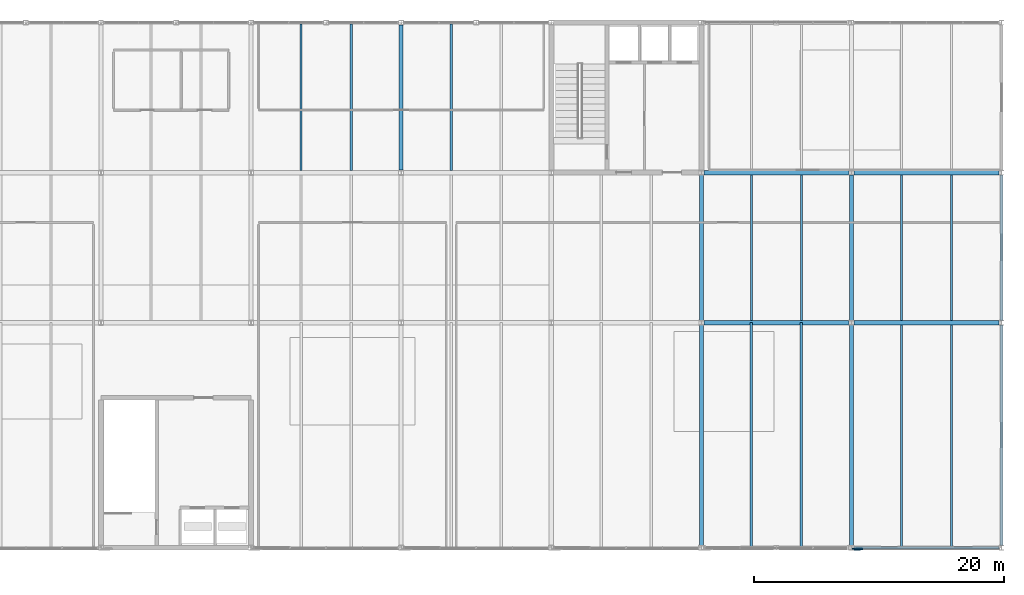
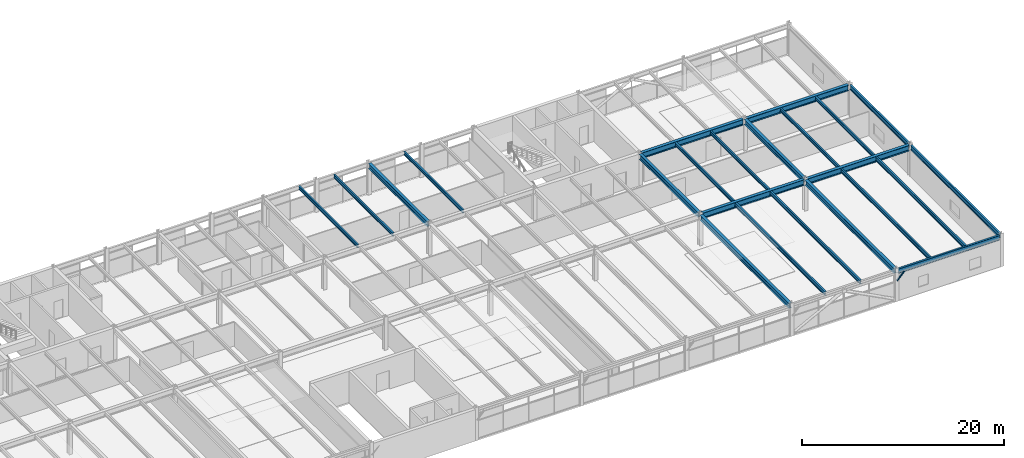
# One storey, part 34 of 52: 23 beams, 1 member.
"""IFC4 building model written with IfcOpenShell, lengths in metres."""

import ifcopenshell
import ifcopenshell.guid

model = None  # the IFC model being written
_history = None  # IfcOwnerHistory: only IFC2X3 demands one
_inside = {}  # id of a spatial element -> (the spatial element, [elements in it])
_under = {}  # id of a project, library or spatial element -> (it, [spatial elements below it])
_declared = {}  # id of a project -> (the project, [libraries it declares])
_typed = {}  # id of a type object -> (the type object, [elements of that type])
_made_of = {}  # id of a material, layer set ... -> (it, [elements and type objects made of it])


def new_model(schema):
    """Start an empty IFC model of exactly this schema.

    Asked for "IFC4X3", IfcOpenShell would pick the latest addendum, in which some entities
    have other attributes; the version numbers below select the first issue.
    IFC2X3 requires an IfcOwnerHistory on every rooted entity: one is made here for all.
    """
    global model, _history
    if schema == "IFC4X3":
        model = ifcopenshell.file(schema_version=(4, 3, 0, 0))
    else:
        model = ifcopenshell.file(schema=schema)
    _inside.clear()
    _under.clear()
    _declared.clear()
    _typed.clear()
    _made_of.clear()
    _history = None
    if model.schema == "IFC2X3":
        org = make("IfcOrganization", Name="unknown")
        user = make(
            "IfcPersonAndOrganization",
            ThePerson=make("IfcPerson", FamilyName="unknown"),
            TheOrganization=org,
        )
        app = make(
            "IfcApplication",
            ApplicationDeveloper=org,
            Version="unknown",
            ApplicationFullName="unknown",
            ApplicationIdentifier="unknown",
        )
        _history = make(
            "IfcOwnerHistory",
            OwningUser=user,
            OwningApplication=app,
            ChangeAction="ADDED",
            CreationDate=0,
        )
    return model


def make(cls, **values):
    """One entity of the class cls with the attributes given. An attribute that is None is left unset."""
    return model.create_entity(
        cls, **{name: value for name, value in values.items() if value is not None}
    )


def rooted(cls, **values):
    """An entity with a GlobalId (a new one), such as an element, a storey or a relation."""
    return make(cls, GlobalId=ifcopenshell.guid.new(), OwnerHistory=_history, **values)


def si_unit(unit_type, name, prefix=None):
    """IfcSIUnit, for example si_unit("LENGTHUNIT", "METRE", prefix="MILLI")."""
    return make("IfcSIUnit", UnitType=unit_type, Prefix=prefix, Name=name)


def assignment(units):
    """IfcUnitAssignment: the units of a project."""
    return None if units is None else make("IfcUnitAssignment", Units=units)


def point(xyz):
    """IfcCartesianPoint."""
    return None if xyz is None else make("IfcCartesianPoint", Coordinates=xyz)


def direction(xyz):
    """IfcDirection."""
    return None if xyz is None else make("IfcDirection", DirectionRatios=xyz)


def frame(location, z_axis=None, x_axis=None):
    """IfcAxis2Placement3D, a coordinate frame: its origin and axes. An axis left out is left unset."""
    return make(
        "IfcAxis2Placement3D",
        Location=point(location),
        Axis=direction(z_axis),
        RefDirection=direction(x_axis),
    )


def frame_2d(location, x_axis=None):
    """IfcAxis2Placement2D, a coordinate frame in the plane: its origin and x axis."""
    return make(
        "IfcAxis2Placement2D", Location=point(location), RefDirection=direction(x_axis)
    )


def origin():
    """The frame at (0, 0, 0) with its axes left unset."""
    return frame((0.0, 0.0, 0.0))


def origin_2d():
    """The frame at (0, 0) in the plane with its x axis left unset."""
    return frame_2d((0.0, 0.0))


def place(relative_to, where):
    """IfcLocalPlacement: puts the frame where relative to a parent placement (None: the world)."""
    return make(
        "IfcLocalPlacement", PlacementRelTo=relative_to, RelativePlacement=where
    )


def context(
    kind, dimensions, precision=None, world=None, true_north=None, identifier=None
):
    """IfcGeometricRepresentationContext, for example the 3D "Model" context."""
    return make(
        "IfcGeometricRepresentationContext",
        ContextIdentifier=identifier,
        ContextType=kind,
        CoordinateSpaceDimension=dimensions,
        Precision=precision,
        WorldCoordinateSystem=world,
        TrueNorth=true_north,
    )


def subcontext(parent, identifier, kind, view, scale=None):
    """IfcGeometricRepresentationSubContext, for example "Body" below "Model"."""
    return make(
        "IfcGeometricRepresentationSubContext",
        ContextIdentifier=identifier,
        ContextType=kind,
        ParentContext=parent,
        TargetScale=scale,
        TargetView=view,
    )


def project(units=None, contexts=None):
    """IfcProject with its units and contexts."""
    return rooted(
        "IfcProject",
        Name="project",
        RepresentationContexts=contexts,
        UnitsInContext=assignment(units),
    )


def spatial(cls, under=None, at=None, **own):
    """A site, building, storey or space (cls), placed at a placement, below another one or the project."""
    s = rooted(cls, ObjectPlacement=at, **own)
    if under is not None:
        _under.setdefault(under.id(), (under, []))[1].append(s)
    return s


def profile(cls, at=None, kind="AREA", **sizes):
    """A parametric profile (cls). Its sizes go by their IFC names, for example OverallWidth=200.0."""
    return make(cls, ProfileType=kind, Position=at, **sizes)


def hollow_circle(**sizes):
    """IfcCircleHollowProfileDef."""
    return profile("IfcCircleHollowProfileDef", **sizes)


def i_section(**sizes):
    """IfcIShapeProfileDef."""
    return profile("IfcIShapeProfileDef", **sizes)


def extrude(swept, where, along, depth):
    """IfcExtrudedAreaSolid: the profile swept, set in the frame where, extruded along a direction by depth."""
    return make(
        "IfcExtrudedAreaSolid",
        SweptArea=swept,
        Position=where,
        ExtrudedDirection=direction(along),
        Depth=depth,
    )


def shape(context_of_items, identifier, shape_type, items):
    """IfcShapeRepresentation: the items that make up one representation, for example the "Body"."""
    return make(
        "IfcShapeRepresentation",
        ContextOfItems=context_of_items,
        RepresentationIdentifier=identifier,
        RepresentationType=shape_type,
        Items=items,
    )


def material(Name=None, Category=None):
    """IfcMaterial."""
    return make("IfcMaterial", Name=Name, Category=Category)


def material_profile(
    of_material, cross_section, Name=None, Category=None, Priority=None
):
    """IfcMaterialProfile: a cross section and its material."""
    return make(
        "IfcMaterialProfile",
        Name=Name,
        Material=of_material,
        Profile=cross_section,
        Priority=Priority,
        Category=Category,
    )


def profile_set(profiles, Name=None, composite=None):
    """IfcMaterialProfileSet."""
    return make(
        "IfcMaterialProfileSet",
        Name=Name,
        MaterialProfiles=profiles,
        CompositeProfile=composite,
    )


def made_of(thing, what):
    """Note that an element or type object is made of a material, layer set ...; save() writes the relation."""
    if what is not None:
        _made_of.setdefault(what.id(), (what, []))[1].append(thing)
    return thing


def type_object(cls, material=None, **own):
    """A type object (cls), such as IfcWallType, which elements share."""
    return made_of(rooted(cls, **own), material)


def element(
    cls,
    number,
    at=None,
    inside=None,
    cuts=None,
    type_object=None,
    material=None,
    context=None,
    identifier="Body",
    shape_type=None,
    held_by="IfcProductDefinitionShape",
    body=None,
    shapes=None,
    **own,
):
    """One element of the class cls, such as IfcWall. Its Tag is "e" and its number.

    at: its placement. inside: the storey or other place that contains it. cuts: it is an
    opening in that element (IfcRelVoidsElement). A single representation is given by context,
    identifier, shape_type and body (its items); several are given by shapes. held_by: the class
    of the entity that holds the representations. save() writes the other relations.
    """
    e = rooted(cls, Tag="e%d" % number, ObjectPlacement=at, **own)
    if body is not None:
        shapes = [shape(context, identifier, shape_type, body)]
    if shapes is not None:
        e.Representation = make(held_by, Representations=shapes)
    if inside is not None:
        _inside.setdefault(inside.id(), (inside, []))[1].append(e)
    if cuts is not None:
        rooted(
            "IfcRelVoidsElement", RelatingBuildingElement=cuts, RelatedOpeningElement=e
        )
    if type_object is not None:
        _typed.setdefault(type_object.id(), (type_object, []))[1].append(e)
    return made_of(e, material)


def aggregate(whole, parts):
    """IfcRelAggregates: a whole, such as a stair, and the parts it consists of."""
    return rooted("IfcRelAggregates", RelatingObject=whole, RelatedObjects=parts)


def save(model, path):
    """Write the relations noted so far, then the file.

    IfcRelAggregates (storeys below a building ...), IfcRelContainedInSpatialStructure (elements
    in a storey), IfcRelDefinesByType, IfcRelAssociatesMaterial and IfcRelDeclares: one each for
    every whole, place, type object, material and project.
    """
    for whole, parts in _under.values():
        aggregate(whole, parts)
    for where, things in _inside.values():
        rooted(
            "IfcRelContainedInSpatialStructure",
            RelatedElements=things,
            RelatingStructure=where,
        )
    for kind, things in _typed.values():
        rooted("IfcRelDefinesByType", RelatedObjects=things, RelatingType=kind)
    for what, things in _made_of.values():
        rooted("IfcRelAssociatesMaterial", RelatedObjects=things, RelatingMaterial=what)
    for by, libraries in _declared.values():
        rooted("IfcRelDeclares", RelatingContext=by, RelatedDefinitions=libraries)
    model.write(path)


model = new_model("IFC4")

# Units and contexts
model_context = context("Model", 3, precision=1e-05, world=origin(), true_north=direction((0.0, 1.0)))
body_context = subcontext(model_context, "Body", "Model", "MODEL_VIEW")
ifc_project = project(units=[si_unit("LENGTHUNIT", "METRE"), si_unit("AREAUNIT", "SQUARE_METRE"), si_unit("VOLUMEUNIT", "CUBIC_METRE"), si_unit("PLANEANGLEUNIT", "RADIAN"), si_unit("MASSUNIT", "GRAM", prefix="KILO")], contexts=[model_context])

# Site, building, storey
site_placement = place(None, origin())
site = spatial("IfcSite", under=ifc_project, at=site_placement, CompositionType="ELEMENT")
building_placement = place(site_placement, origin())
building = spatial("IfcBuilding", under=site, at=building_placement, Name="Girod Span Mobility Hub", CompositionType="ELEMENT")
storey_placement = place(building_placement, frame((0.0, 0.0, 45.60009765625)))
storey = spatial("IfcBuildingStorey", under=building, at=storey_placement, Name="L11", CompositionType="ELEMENT", Elevation=45.60009765625)

# Beams
ifc_material_1 = material(Name="Steel A992 Grade 50", Category="steel")
ifc_material_profile_1 = material_profile(ifc_material_1, i_section(OverallWidth=0.178955078125, OverallDepth=0.409912109375, WebThickness=0.0087890625, FlangeThickness=0.014404296875, FilletRadius=0.012939453125, at=origin_2d()), Name="W16X45")
ifc_profile_set_1 = profile_set([ifc_material_profile_1], Name="Steel A992 Grade 50")
beam_type_1 = type_object("IfcBeamType", Name="BM-STL-W16X45", PredefinedType="BEAM", material=ifc_profile_set_1)
for number, where, z_axis, x_axis, name in (
    (1, (88.0, 57.174560546875, 3.635009765625), (0.0, 1.0, 0.0), (-1.0, 0.0, 0.0), "Composite Floorbeam 8/E-1 L11"),
    (2, (92.0, 57.174560546875, 3.635009765625), (0.0, 1.0, 0.0), (-1.0, 0.0, 0.0), "Composite Floorbeam 8/E-2 L11"),
    (3, (100.0, 57.174560546875, 3.635009765625), (0.0, 1.0, 0.0), (-1.0, 0.0, 0.0), "Composite Floorbeam 9/E-1 L11"),
):
    element("IfcBeam", number, at=place(storey_placement, frame(where, z_axis=z_axis, x_axis=x_axis)), inside=storey, type_object=beam_type_1, Name=name, PredefinedType="BEAM", context=body_context, shape_type="SweptSolid", body=[
        extrude(i_section(OverallWidth=0.178955078125, OverallDepth=0.409912109375, WebThickness=0.0087890625, FlangeThickness=0.014404296875, FilletRadius=0.012939453125, at=origin_2d()), origin(), (0.0, 0.0, 1.0), 11.722412109375),
    ])
for number, where, z_axis, x_axis, name in (
    (4, (124.0, 45.174560546875, 3.635009765625), (0.0, 1.0, 0.0), (-1.0, 0.0, 0.0), "Composite Floorbeam 11/D-1 L11"),
    (5, (128.0, 45.174560546875, 3.635009765625), (0.0, 1.0, 0.0), (-1.0, 0.0, 0.0), "Composite Floorbeam 11/D-2 L11"),
    (6, (136.0, 45.174560546875, 3.574951171875), (0.0, 1.0, 0.0), (-1.0, 0.0, 0.0), "Composite Floorbeam 12/D-1 L11"),
    (7, (140.0, 45.174560546875, 3.574951171875), (0.0, 1.0, 0.0), (-1.0, 0.0, 0.0), "Composite Floorbeam 12/D-2 L11"),
):
    element("IfcBeam", number, at=place(storey_placement, frame(where, z_axis=z_axis, x_axis=x_axis)), inside=storey, type_object=beam_type_1, Name=name, PredefinedType="BEAM", context=body_context, shape_type="SweptSolid", body=[
        extrude(i_section(OverallWidth=0.178955078125, OverallDepth=0.409912109375, WebThickness=0.0087890625, FlangeThickness=0.014404296875, FilletRadius=0.012939453125, at=origin_2d()), origin(), (0.0, 0.0, 1.0), 11.65087890625),
    ])
ifc_material_2 = material(Name="Steel A992 Grade 50", Category="steel")
ifc_material_profile_2 = material_profile(ifc_material_2, i_section(OverallWidth=0.19189453125, OverallDepth=0.462890625, WebThickness=0.010498046875, FlangeThickness=0.017578125, FilletRadius=0.013916015625, at=origin_2d()), Name="W18X60")
ifc_profile_set_2 = profile_set([ifc_material_profile_2], Name="Steel A992 Grade 50")
beam_type_2 = type_object("IfcBeamType", Name="BM-STL-W18X60", PredefinedType="BEAM", material=ifc_profile_set_2)
for number, where, z_axis, x_axis, name in (
    (8, (124.0, 27.10302734375, 3.54833984375), (0.0, 1.0, 0.0), (-1.0, 0.0, 0.0), "Composite Floorbeam 11/C-1 L11"),
    (9, (128.0, 27.10302734375, 3.54833984375), (0.0, 1.0, 0.0), (-1.0, 0.0, 0.0), "Composite Floorbeam 11/C-2 L11"),
):
    element("IfcBeam", number, at=place(storey_placement, frame(where, z_axis=z_axis, x_axis=x_axis)), inside=storey, type_object=beam_type_2, Name=name, PredefinedType="BEAM", context=body_context, shape_type="SweptSolid", body=[
        extrude(i_section(OverallWidth=0.19189453125, OverallDepth=0.462890625, WebThickness=0.010498046875, FlangeThickness=0.017578125, FilletRadius=0.013916015625, at=origin_2d()), origin(), (0.0, 0.0, 1.0), 17.89208984375),
    ])
for number, where, z_axis, x_axis, name in (
    (10, (136.0, 27.10302734375, 3.54833984375), (0.0, 1.0, 0.0), (-1.0, 0.0, 0.0), "Composite Floorbeam 12/C-1 L11"),
    (11, (140.0, 27.10302734375, 3.54833984375), (0.0, 1.0, 0.0), (-1.0, 0.0, 0.0), "Composite Floorbeam 12/C-2 L11"),
):
    element("IfcBeam", number, at=place(storey_placement, frame(where, z_axis=z_axis, x_axis=x_axis)), inside=storey, type_object=beam_type_2, Name=name, PredefinedType="BEAM", context=body_context, shape_type="SweptSolid", body=[
        extrude(i_section(OverallWidth=0.19189453125, OverallDepth=0.462890625, WebThickness=0.010498046875, FlangeThickness=0.017578125, FilletRadius=0.013916015625, at=origin_2d()), origin(), (0.0, 0.0, 1.0), 17.722412109375),
    ])
ifc_material_3 = material(Name="Steel A992 Grade 50", Category="steel")
ifc_material_profile_3 = material_profile(ifc_material_3, i_section(OverallWidth=0.2119140625, OverallDepth=0.5439453125, WebThickness=0.01318359375, FlangeThickness=0.021240234375, FilletRadius=0.014892578125, at=origin_2d()), Name="W21X83")
ifc_profile_set_3 = profile_set([ifc_material_profile_3], Name="Steel A992 Grade 50")
beam_type_3 = type_object("IfcBeamType", Name="BM-STL-W21X83", PredefinedType="SPANDREL", material=ifc_profile_set_3)
beam_1_placement = place(storey_placement, frame((132.194091796875, 27.0, 3.5078125), z_axis=(1.0, 0.0, 0.0), x_axis=(0.0, 1.0, 0.0)))
element("IfcBeam", 12, at=beam_1_placement, inside=storey, type_object=beam_type_3, Name="Girder 12-13/C L11", PredefinedType="SPANDREL", context=body_context, shape_type="SweptSolid", body=[
    extrude(i_section(OverallWidth=0.2119140625, OverallDepth=0.5439453125, WebThickness=0.01318359375, FlangeThickness=0.021240234375, FilletRadius=0.014892578125, at=origin_2d()), origin(), (0.0, 0.0, 1.0), 11.61181640625),
])
beam_2_placement = place(storey_placement, frame((144.0, 27.1845703125, 3.5078125), z_axis=(0.0, 1.0, 0.0), x_axis=(-1.0, 0.0, 0.0)))
element("IfcBeam", 13, at=beam_2_placement, inside=storey, type_object=beam_type_3, Name="Tie Girder 13/C-D L11", PredefinedType="SPANDREL", context=body_context, shape_type="SweptSolid", body=[
    extrude(i_section(OverallWidth=0.2119140625, OverallDepth=0.5439453125, WebThickness=0.01318359375, FlangeThickness=0.021240234375, FilletRadius=0.014892578125, at=origin_2d()), origin(), (0.0, 0.0, 1.0), 17.630859375),
])
beam_3_placement = place(storey_placement, frame((144.0, 45.1845703125, 3.5078125), z_axis=(0.0, 1.0, 0.0), x_axis=(-1.0, 0.0, 0.0)))
element("IfcBeam", 14, at=beam_3_placement, inside=storey, type_object=beam_type_3, Name="Tie Girder 13/D-E L11", PredefinedType="SPANDREL", context=body_context, shape_type="SweptSolid", body=[
    extrude(i_section(OverallWidth=0.2119140625, OverallDepth=0.5439453125, WebThickness=0.01318359375, FlangeThickness=0.021240234375, FilletRadius=0.014892578125, at=origin_2d()), origin(), (0.0, 0.0, 1.0), 11.630859375),
])
ifc_material_4 = material(Name="Steel A992 Grade 50", Category="steel")
ifc_material_profile_4 = material_profile(ifc_material_4, i_section(OverallWidth=0.323974609375, OverallDepth=0.611083984375, WebThickness=0.0126953125, FlangeThickness=0.01904296875, FilletRadius=0.014892578125, at=origin_2d()), Name="W24X104")
ifc_profile_set_4 = profile_set([ifc_material_profile_4], Name="Steel A992 Grade 50")
beam_type_4 = type_object("IfcBeamType", Name="BM-STL-W24X104", PredefinedType="BEAM", material=ifc_profile_set_4)
beam_4_placement = place(storey_placement, frame((96.0, 57.193603515625, 3.534423828125), z_axis=(0.0, 1.0, 0.0), x_axis=(-1.0, 0.0, 0.0)))
element("IfcBeam", 15, at=beam_4_placement, inside=storey, type_object=beam_type_4, Name="Tie Girder 9/E-F L11", PredefinedType="BEAM", context=body_context, shape_type="SweptSolid", body=[
    extrude(i_section(OverallWidth=0.323974609375, OverallDepth=0.611083984375, WebThickness=0.0126953125, FlangeThickness=0.01904296875, FilletRadius=0.014892578125, at=origin_2d()), origin(), (0.0, 0.0, 1.0), 11.61279296875),
])
beam_5_placement = place(storey_placement, frame((120.0, 27.1845703125, 3.454345703125), z_axis=(0.0, 1.0, 0.0), x_axis=(-1.0, 0.0, 0.0)))
element("IfcBeam", 16, at=beam_5_placement, inside=storey, type_object=beam_type_4, Name="Tie Girder 11/C-D L11", PredefinedType="BEAM", context=body_context, shape_type="SweptSolid", body=[
    extrude(i_section(OverallWidth=0.323974609375, OverallDepth=0.611083984375, WebThickness=0.0126953125, FlangeThickness=0.01904296875, FilletRadius=0.014892578125, at=origin_2d()), origin(), (0.0, 0.0, 1.0), 17.621826171875),
])
beam_6_placement = place(storey_placement, frame((120.0, 45.193603515625, 3.534423828125), z_axis=(0.0, 1.0, 0.0), x_axis=(-1.0, 0.0, 0.0)))
element("IfcBeam", 17, at=beam_6_placement, inside=storey, type_object=beam_type_4, Name="Tie Girder 11/D-E L11", PredefinedType="BEAM", context=body_context, shape_type="SweptSolid", body=[
    extrude(i_section(OverallWidth=0.323974609375, OverallDepth=0.611083984375, WebThickness=0.0126953125, FlangeThickness=0.01904296875, FilletRadius=0.014892578125, at=origin_2d()), origin(), (0.0, 0.0, 1.0), 11.61279296875),
])
beam_7_placement = place(storey_placement, frame((132.0, 27.1845703125, 3.474365234375), z_axis=(0.0, 1.0, 0.0), x_axis=(-1.0, 0.0, 0.0)))
element("IfcBeam", 18, at=beam_7_placement, inside=storey, type_object=beam_type_4, Name="Tie Girder 12/C-D L11", PredefinedType="BEAM", context=body_context, shape_type="SweptSolid", body=[
    extrude(i_section(OverallWidth=0.323974609375, OverallDepth=0.611083984375, WebThickness=0.0126953125, FlangeThickness=0.01904296875, FilletRadius=0.014892578125, at=origin_2d()), origin(), (0.0, 0.0, 1.0), 17.630859375),
])
beam_8_placement = place(storey_placement, frame((132.0, 45.1845703125, 3.534423828125), z_axis=(0.0, 1.0, 0.0), x_axis=(-1.0, 0.0, 0.0)))
element("IfcBeam", 19, at=beam_8_placement, inside=storey, type_object=beam_type_4, Name="Tie Girder 12/D-E L11", PredefinedType="BEAM", context=body_context, shape_type="SweptSolid", body=[
    extrude(i_section(OverallWidth=0.323974609375, OverallDepth=0.611083984375, WebThickness=0.0126953125, FlangeThickness=0.01904296875, FilletRadius=0.014892578125, at=origin_2d()), origin(), (0.0, 0.0, 1.0), 11.630859375),
])
ifc_material_5 = material(Name="Steel A992 Grade 50", Category="steel")
ifc_material_profile_5 = material_profile(ifc_material_5, i_section(OverallWidth=0.35498046875, OverallDepth=0.695068359375, WebThickness=0.015380859375, FlangeThickness=0.02490234375, FilletRadius=0.01806640625, at=origin_2d()), Name="W27X146")
ifc_profile_set_5 = profile_set([ifc_material_profile_5], Name="Steel A992 Grade 50")
beam_type_5 = type_object("IfcBeamType", Name="BM-STL-W27X146", PredefinedType="BEAM", material=ifc_profile_set_5)
beam_9_placement = place(storey_placement, frame((120.196533203125, 45.0, 3.492431640625), z_axis=(1.0, 0.0, 0.0), x_axis=(0.0, 1.0, 0.0)))
element("IfcBeam", 20, at=beam_9_placement, inside=storey, type_object=beam_type_5, Name="Girder 11-12/D L11", PredefinedType="BEAM", context=body_context, shape_type="SweptSolid", body=[
    extrude(i_section(OverallWidth=0.35498046875, OverallDepth=0.695068359375, WebThickness=0.015380859375, FlangeThickness=0.02490234375, FilletRadius=0.01806640625, at=origin_2d()), origin(), (0.0, 0.0, 1.0), 11.609375),
])
beam_10_placement = place(storey_placement, frame((132.194091796875, 45.0, 3.432373046875), z_axis=(1.0, 0.0, 0.0), x_axis=(0.0, 1.0, 0.0)))
element("IfcBeam", 21, at=beam_10_placement, inside=storey, type_object=beam_type_5, Name="Girder 12-13/D L11", PredefinedType="BEAM", context=body_context, shape_type="SweptSolid", body=[
    extrude(i_section(OverallWidth=0.35498046875, OverallDepth=0.695068359375, WebThickness=0.015380859375, FlangeThickness=0.02490234375, FilletRadius=0.01806640625, at=origin_2d()), origin(), (0.0, 0.0, 1.0), 11.61181640625),
])
beam_11_placement = place(storey_placement, frame((120.196533203125, 57.0, 3.492431640625), z_axis=(1.0, 0.0, 0.0), x_axis=(0.0, 1.0, 0.0)))
element("IfcBeam", 22, at=beam_11_placement, inside=storey, type_object=beam_type_5, Name="Girder 11-12/E L11", PredefinedType="BEAM", context=body_context, shape_type="SweptSolid", body=[
    extrude(i_section(OverallWidth=0.35498046875, OverallDepth=0.695068359375, WebThickness=0.015380859375, FlangeThickness=0.02490234375, FilletRadius=0.01806640625, at=origin_2d()), origin(), (0.0, 0.0, 1.0), 11.609375),
])
beam_12_placement = place(storey_placement, frame((132.194091796875, 57.0, 3.432373046875), z_axis=(1.0, 0.0, 0.0), x_axis=(0.0, 1.0, 0.0)))
element("IfcBeam", 23, at=beam_12_placement, inside=storey, type_object=beam_type_5, Name="Girder 12-13/E L11", PredefinedType="BEAM", context=body_context, shape_type="SweptSolid", body=[
    extrude(i_section(OverallWidth=0.35498046875, OverallDepth=0.695068359375, WebThickness=0.015380859375, FlangeThickness=0.02490234375, FilletRadius=0.01806640625, at=origin_2d()), origin(), (0.0, 0.0, 1.0), 11.61181640625),
])

# Member
ifc_material_6 = material(Name="Steel HSS A500 Grade C", Category="steel")
ifc_material_profile_6 = material_profile(ifc_material_6, hollow_circle(Radius=0.109619140625, WallThickness=0.0087890625, at=origin_2d()), Name="HSS219X9.5")
ifc_profile_set_6 = profile_set([ifc_material_profile_6], Name="Steel HSS A500 Grade C")
member_type = type_object("IfcMemberType", Name="MB-ST-HSS219", PredefinedType="STRUT", material=ifc_profile_set_6)
member_placement = place(storey_placement, frame((132.0, 26.8798828125, 2.449951171875), z_axis=(0.706816330442, 0.033290602583, 0.706613338963), x_axis=(-0.047047213483, 0.998892666758, 0.0)))
element("IfcMember", 24, at=member_placement, inside=storey, type_object=member_type, Name="Solar Shading Knee Strut 12 L11", PredefinedType="STRUT", context=body_context, shape_type="SweptSolid", body=[
    extrude(hollow_circle(Radius=0.109619140625, WallThickness=0.0087890625, at=origin_2d()), origin(), (0.0, 0.0, 1.0), 1.20263671875),
])

save(model, "model.ifc")
